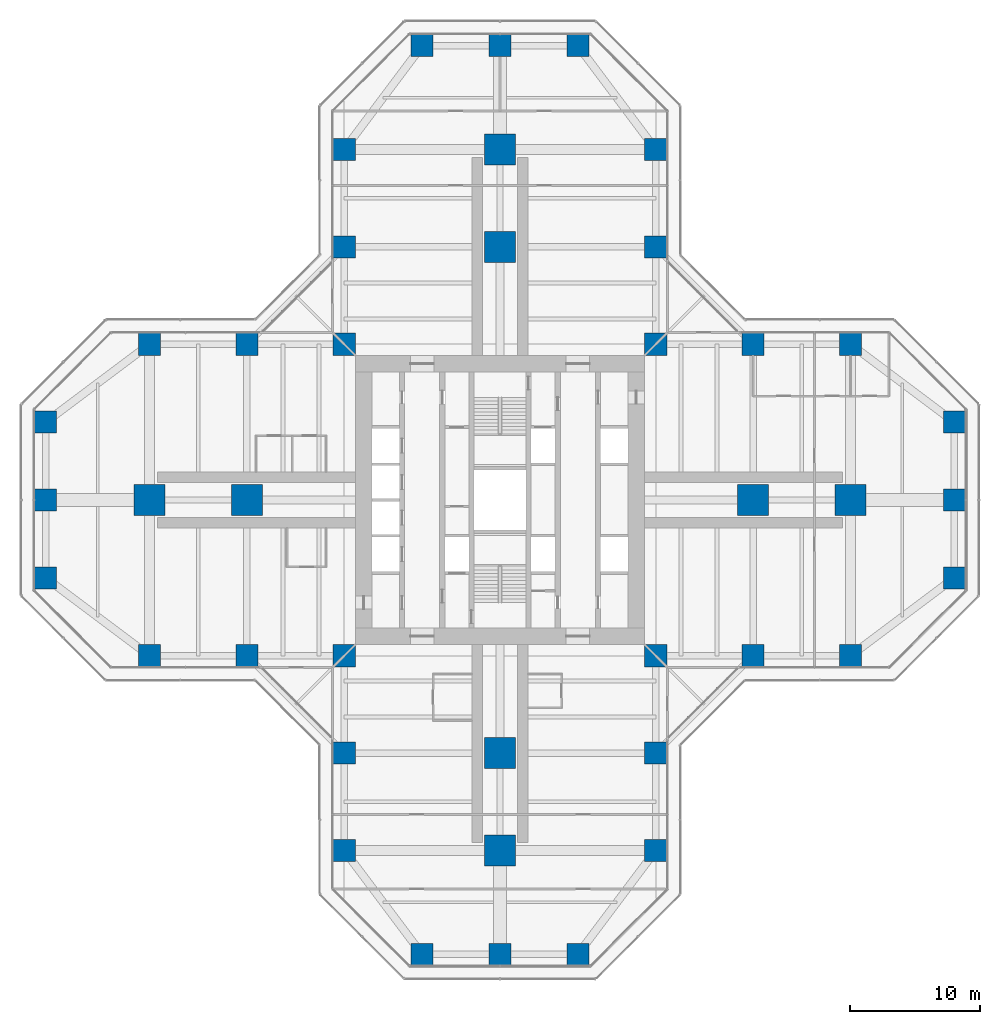
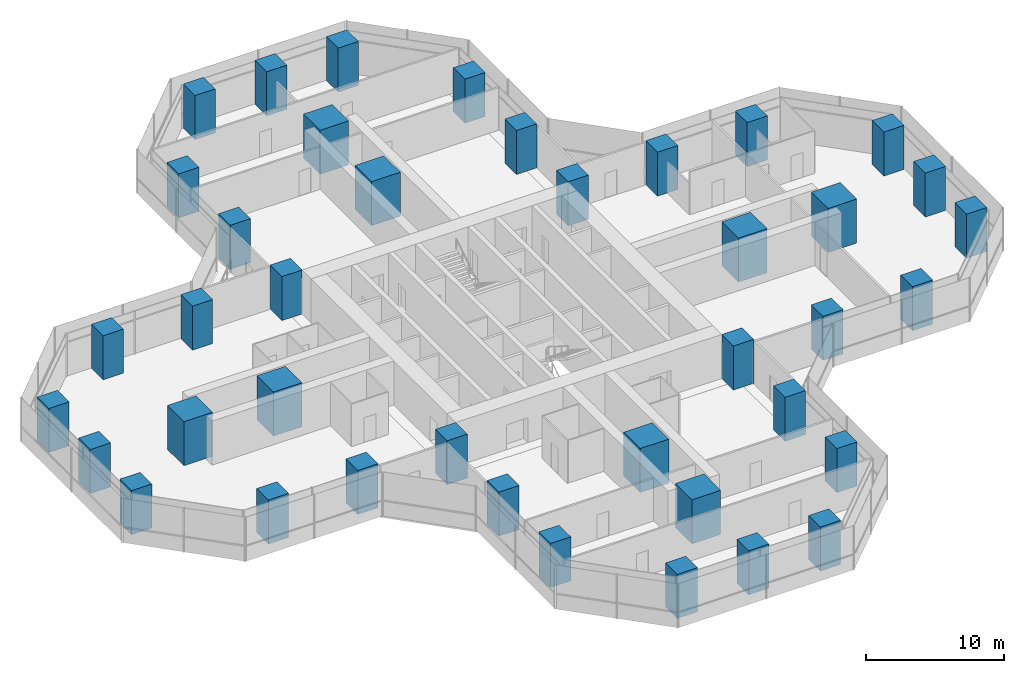
# One storey, part 1 of 22: 40 columns.
"""IFC4 building model written with IfcOpenShell, lengths in metres."""

from ifc_helpers import new_model, si_unit, direction, frame, origin, origin_2d, place, context, subcontext, project, spatial, rectangle, extrude, material, material_profile, profile_set, type_object, element, save


model = new_model("IFC4")

# Units and contexts
model_context = context("Model", 3, precision=1e-05, world=origin(), true_north=direction((0.0, 1.0)))
body_context = subcontext(model_context, "Body", "Model", "MODEL_VIEW")
ifc_project = project(units=[si_unit("LENGTHUNIT", "METRE"), si_unit("AREAUNIT", "SQUARE_METRE"), si_unit("VOLUMEUNIT", "CUBIC_METRE"), si_unit("PLANEANGLEUNIT", "RADIAN"), si_unit("MASSUNIT", "GRAM", prefix="KILO")], contexts=[model_context])

# Site, building, storey
site_placement = place(None, origin())
site = spatial("IfcSite", under=ifc_project, at=site_placement, CompositionType="ELEMENT")
building_placement = place(site_placement, origin())
building = spatial("IfcBuilding", under=site, at=building_placement, Name="Mizan Broadcast Tower", CompositionType="ELEMENT")
storey_placement = place(building_placement, frame((0.0, 0.0, 98.10009765625)))
storey = spatial("IfcBuildingStorey", under=building, at=storey_placement, Name="L21", CompositionType="ELEMENT", Elevation=98.10009765625)

# Columns
ifc_material_1 = material(Name="Concrete C70/85", Category="concrete")
ifc_material_profile_1 = material_profile(ifc_material_1, rectangle(XDim=1.699951171875, YDim=1.699951171875, at=origin_2d()), Name="RC 1700x1700")
ifc_profile_set_1 = profile_set([ifc_material_profile_1], Name="Concrete C70/85")
column_type_1 = type_object("IfcColumnType", Name="RC COLUMN 1700x1700 C70/85", PredefinedType="COLUMN", material=ifc_profile_set_1)
for number, where, z_axis, x_axis, name in (
    (1, (-6.0, -35.0, 0.0), (0.0, 0.0, 1.0), (1.0, 0.0, 0.0), "Column 5/A L21"),
    (2, (0.0, -35.0, 0.0), (0.0, 0.0, 1.0), (1.0, 0.0, 0.0), "Column 6/A L21"),
    (3, (6.0, -35.0, 0.0), (0.0, 0.0, 1.0), (1.0, 0.0, 0.0), "Column 7/A L21"),
    (4, (-12.0, -27.0, 0.0), (0.0, 0.0, 1.0), (1.0, 0.0, 0.0), "Column 4/B L21"),
    (5, (12.0, -27.0, 0.0), (0.0, 0.0, 1.0), (1.0, 0.0, 0.0), "Column 8/B L21"),
    (6, (-12.0, -19.5, 0.0), (0.0, 0.0, 1.0), (1.0, 0.0, 0.0), "Column 4/C L21"),
    (7, (12.0, -19.5, 0.0), (0.0, 0.0, 1.0), (1.0, 0.0, 0.0), "Column 8/C L21"),
    (8, (-27.0, -12.0, 0.0), (0.0, 0.0, 1.0), (1.0, 0.0, 0.0), "Column 2/D L21"),
    (9, (-19.5, -12.0, 0.0), (0.0, 0.0, 1.0), (1.0, 0.0, 0.0), "Column 3/D L21"),
    (10, (-12.0, -12.0, 0.0), (0.0, 0.0, 1.0), (1.0, 0.0, 0.0), "Column 4/D L21"),
    (11, (12.0, -12.0, 0.0), (0.0, 0.0, 1.0), (1.0, 0.0, 0.0), "Column 8/D L21"),
    (12, (19.5, -12.0, 0.0), (0.0, 0.0, 1.0), (1.0, 0.0, 0.0), "Column 9/D L21"),
    (13, (27.0, -12.0, 0.0), (0.0, 0.0, 1.0), (1.0, 0.0, 0.0), "Column 10/D L21"),
    (14, (-35.0, -6.0, 0.0), (0.0, 0.0, 1.0), (1.0, 0.0, 0.0), "Column 1/E L21"),
    (15, (35.0, -6.0, 0.0), (0.0, 0.0, 1.0), (1.0, 0.0, 0.0), "Column 11/E L21"),
    (16, (-35.0, 0.0, 0.0), (0.0, 0.0, 1.0), (1.0, 0.0, 0.0), "Column 1/F L21"),
    (17, (35.0, 0.0, 0.0), (0.0, 0.0, 1.0), (1.0, 0.0, 0.0), "Column 11/F L21"),
    (18, (-35.0, 6.0, 0.0), (0.0, 0.0, 1.0), (1.0, 0.0, 0.0), "Column 1/G L21"),
    (19, (35.0, 6.0, 0.0), (0.0, 0.0, 1.0), (1.0, 0.0, 0.0), "Column 11/G L21"),
    (20, (-27.0, 12.0, 0.0), (0.0, 0.0, 1.0), (1.0, 0.0, 0.0), "Column 2/H L21"),
    (21, (-19.5, 12.0, 0.0), (0.0, 0.0, 1.0), (1.0, 0.0, 0.0), "Column 3/H L21"),
    (22, (-12.0, 12.0, 0.0), (0.0, 0.0, 1.0), (1.0, 0.0, 0.0), "Column 4/H L21"),
    (23, (12.0, 12.0, 0.0), (0.0, 0.0, 1.0), (1.0, 0.0, 0.0), "Column 8/H L21"),
    (24, (19.5, 12.0, 0.0), (0.0, 0.0, 1.0), (1.0, 0.0, 0.0), "Column 9/H L21"),
    (25, (27.0, 12.0, 0.0), (0.0, 0.0, 1.0), (1.0, 0.0, 0.0), "Column 10/H L21"),
    (26, (-12.0, 19.5, 0.0), (0.0, 0.0, 1.0), (1.0, 0.0, 0.0), "Column 4/J L21"),
    (27, (12.0, 19.5, 0.0), (0.0, 0.0, 1.0), (1.0, 0.0, 0.0), "Column 8/J L21"),
    (28, (-12.0, 27.0, 0.0), (0.0, 0.0, 1.0), (1.0, 0.0, 0.0), "Column 4/K L21"),
    (29, (12.0, 27.0, 0.0), (0.0, 0.0, 1.0), (1.0, 0.0, 0.0), "Column 8/K L21"),
    (30, (-6.0, 35.0, 0.0), (0.0, 0.0, 1.0), (1.0, 0.0, 0.0), "Column 5/L L21"),
    (31, (0.0, 35.0, 0.0), (0.0, 0.0, 1.0), (1.0, 0.0, 0.0), "Column 6/L L21"),
    (32, (6.0, 35.0, 0.0), (0.0, 0.0, 1.0), (1.0, 0.0, 0.0), "Column 7/L L21"),
):
    element("IfcColumn", number, at=place(storey_placement, frame(where, z_axis=z_axis, x_axis=x_axis)), inside=storey, type_object=column_type_1, Name=name, PredefinedType="COLUMN", context=body_context, shape_type="SweptSolid", body=[
        extrude(rectangle(XDim=1.699951171875, YDim=1.699951171875, at=origin_2d()), origin(), (0.0, 0.0, 1.0), 3.89990234375),
    ])
ifc_material_2 = material(Name="Concrete C70/85", Category="concrete")
ifc_material_profile_2 = material_profile(ifc_material_2, rectangle(XDim=2.39990234375, YDim=2.39990234375, at=origin_2d()), Name="RC 2400x2400")
ifc_profile_set_2 = profile_set([ifc_material_profile_2], Name="Concrete C70/85")
column_type_2 = type_object("IfcColumnType", Name="RC COLUMN 2400x2400 C70/85", PredefinedType="COLUMN", material=ifc_profile_set_2)
for number, where, z_axis, x_axis, name in (
    (33, (0.0, -27.0, 0.0), (0.0, 0.0, 1.0), (1.0, 0.0, 0.0), "Column 6/B L21"),
    (34, (0.0, -19.5, 0.0), (0.0, 0.0, 1.0), (1.0, 0.0, 0.0), "Column 6/C L21"),
    (35, (-27.0, 0.0, 0.0), (0.0, 0.0, 1.0), (1.0, 0.0, 0.0), "Column 2/F L21"),
    (36, (-19.5, 0.0, 0.0), (0.0, 0.0, 1.0), (1.0, 0.0, 0.0), "Column 3/F L21"),
    (37, (19.5, 0.0, 0.0), (0.0, 0.0, 1.0), (1.0, 0.0, 0.0), "Column 9/F L21"),
    (38, (27.0, 0.0, 0.0), (0.0, 0.0, 1.0), (1.0, 0.0, 0.0), "Column 10/F L21"),
    (39, (0.0, 19.5, 0.0), (0.0, 0.0, 1.0), (1.0, 0.0, 0.0), "Column 6/J L21"),
    (40, (0.0, 27.0, 0.0), (0.0, 0.0, 1.0), (1.0, 0.0, 0.0), "Column 6/K L21"),
):
    element("IfcColumn", number, at=place(storey_placement, frame(where, z_axis=z_axis, x_axis=x_axis)), inside=storey, type_object=column_type_2, Name=name, PredefinedType="COLUMN", context=body_context, shape_type="SweptSolid", body=[
        extrude(rectangle(XDim=2.39990234375, YDim=2.39990234375, at=origin_2d()), origin(), (0.0, 0.0, 1.0), 3.89990234375),
    ])

save(model, "model.ifc")
